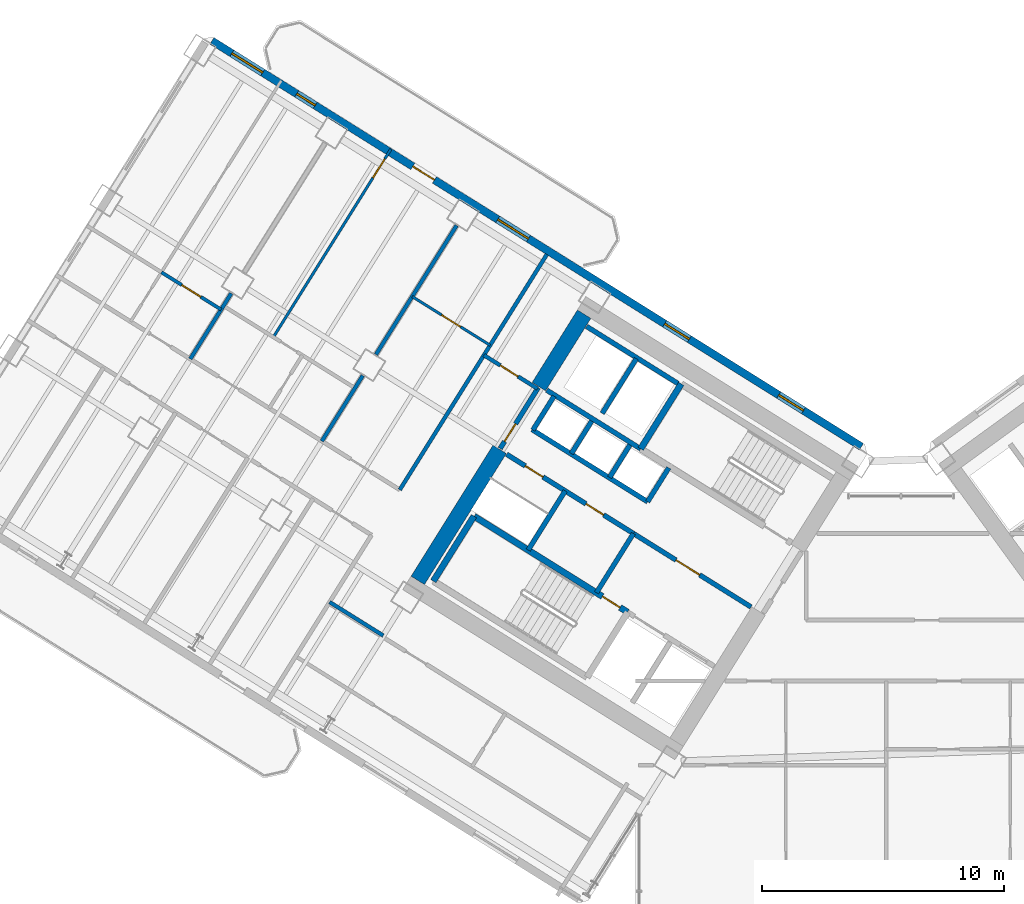
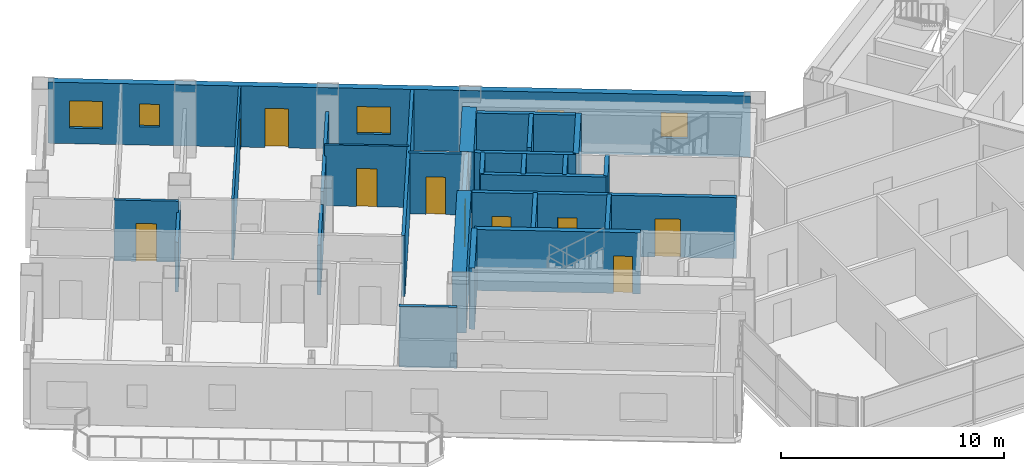
# One storey, part 16 of 24: 28 walls, 10 doors, 5 windows, 15 openings.
"""IFC4 building model written with IfcOpenShell, lengths in metres."""

from ifc_helpers import new_model, si_unit, direction, frame, frame_2d, origin, place, context, subcontext, project, spatial, rectangle, extrude, source, transform, mapped, material, layer, layer_set, type_object, element, fill, save


model = new_model("IFC4")

# Units and contexts
model_context = context("Model", 3, precision=1e-05, world=origin(), true_north=direction((0.0, 1.0)))
body_context = subcontext(model_context, "Body", "Model", "MODEL_VIEW")
ifc_project = project(units=[si_unit("LENGTHUNIT", "METRE"), si_unit("AREAUNIT", "SQUARE_METRE"), si_unit("VOLUMEUNIT", "CUBIC_METRE"), si_unit("PLANEANGLEUNIT", "RADIAN"), si_unit("MASSUNIT", "GRAM", prefix="KILO")], contexts=[model_context])

# Site, building, storey
site_placement = place(None, origin())
site = spatial("IfcSite", under=ifc_project, at=site_placement, CompositionType="ELEMENT")
building_placement = place(site_placement, origin())
building = spatial("IfcBuilding", under=site, at=building_placement, Name="Tlacorven Tower", CompositionType="ELEMENT")
storey_placement = place(building_placement, frame((0.0, 0.0, 60.0)))
storey = spatial("IfcBuildingStorey", under=building, at=storey_placement, Name="L15", CompositionType="ELEMENT", Elevation=60.0)

# Walls
ifc_material_1 = material(Name="Concrete C60/75", Category="concrete")
ifc_layer_1 = layer(ifc_material_1, 0.64990234375)
ifc_layer_set_1 = layer_set([ifc_layer_1], Name="Concrete C60/75")
wall_type_1 = type_object("IfcWallType", Name="WL-COR-650", PredefinedType="SHEAR", material=ifc_layer_set_1)
wall_1_placement = place(storey_placement, frame((29.49072265625, 30.5517578125, 0.0), z_axis=(0.0, 0.0, 1.0), x_axis=(-0.529893103397, -0.8480644427, 0.0)))
element("IfcWall", 1, at=wall_1_placement, inside=storey, type_object=wall_type_1, Name="L15 W core end wall E2.1", PredefinedType="SHEAR", context=body_context, shape_type="SweptSolid", body=[
    extrude(rectangle(XDim=3.525146484375, YDim=0.64990234375, at=frame_2d((1.7626953125, 0.0))), origin(), (0.0, 0.0, 1.0), 3.35009765625),
])
wall_2_placement = place(storey_placement, frame((26.006591796875, 24.975830078125, 0.0), z_axis=(0.0, 0.0, 1.0), x_axis=(-0.529916319127, -0.848049936456, 0.0)))
element("IfcWall", 2, at=wall_2_placement, inside=storey, type_object=wall_type_1, Name="L15 W core end wall E2.2", PredefinedType="SHEAR", context=body_context, shape_type="SweptSolid", body=[
    extrude(rectangle(XDim=6.375, YDim=0.64990234375, at=frame_2d((3.1875, 0.0))), origin(), (0.0, 0.0, 1.0), 3.35009765625),
])

# Wall, opening, door
ifc_material_2 = material(Name="Gypsum plasterboard acoustic partition", Category="gypsum")
ifc_layer_2 = layer(ifc_material_2, 0.159912109375)
ifc_layer_set_2 = layer_set([ifc_layer_2], Name="Gypsum plasterboard acoustic partition")
wall_type_2 = type_object("IfcWallType", Name="WL-DEM-160", PredefinedType="PARTITIONING", material=ifc_layer_set_2)
wall_3_placement = place(storey_placement, frame((27.56982421875, 27.4775390625, 0.0), z_axis=(0.0, 0.0, 1.0), x_axis=(-0.848050851465, 0.529914854792, 0.0)))
wall_3 = element("IfcWall", 3, at=wall_3_placement, inside=storey, type_object=wall_type_2, Name="L15 partition 47", PredefinedType="PARTITIONING", context=body_context, shape_type="SweptSolid", body=[
    extrude(rectangle(XDim=2.60986328125, YDim=0.159912109375, at=frame_2d((1.304931640625, 0.0))), origin(), (0.0, 0.0, 1.0), 3.340087890625),
])
opening_1_placement = place(wall_3_placement, frame((0.949951171875, 0.0, 0.0)))
opening_1 = element("IfcOpeningElement", 4, at=opening_1_placement, cuts=wall_3, Name="Opening D19", PredefinedType="OPENING", context=body_context, shape_type="SweptSolid", body=[
    extrude(rectangle(XDim=0.860107421875, YDim=2.050048828125, at=frame_2d((0.43017578125, 1.02490234375))), frame((0.0, 0.08984375, 0.0), z_axis=(0.0, -1.0, 0.0), x_axis=(1.0, 0.0, 0.0)), (0.0, 0.0, 1.0), 0.179931640625),
])
ifc_material_3 = material(Name="Fire-rated steel door assembly", Category="steel")
door_type_1 = type_object("IfcDoorType", Name="DR-RSR-FD60-0860", OperationType="NOTDEFINED", PredefinedType="DOOR", material=ifc_material_3)
shared_shape_1 = source(origin(), body_context, "Body", "SweptSolid", [
    extrude(rectangle(XDim=0.860107421875, YDim=2.050048828125, at=frame_2d((0.43017578125, 1.02490234375))), frame((0.0, 0.02490234375, 0.0), z_axis=(0.0, -1.0, 0.0), x_axis=(1.0, 0.0, 0.0)), (0.0, 0.0, 1.0), 0.050048828125),
])
door_1_placement = place(opening_1_placement, frame((0.860107421875, 0.0, 0.0), z_axis=(0.0, 0.0, 1.0), x_axis=(-1.0, 0.0, 0.0)))
door_1 = element("IfcDoor", 5, at=door_1_placement, inside=storey, type_object=door_type_1, Name="L15 door 019", OperationType="SINGLE_SWING_LEFT", OverallHeight=2.050048828125, OverallWidth=0.860107421875, PredefinedType="DOOR", context=body_context, shape_type="MappedRepresentation", body=[
    mapped(shared_shape_1, transform((0.0, 0.0, 0.0), scale=1.0)),
])
fill(opening_1, door_1)

# Walls
wall_4_placement = place(storey_placement, frame((21.20556640625, 17.29248046875, 0.0), z_axis=(0.0, 0.0, 1.0), x_axis=(-0.848050851465, 0.529914854792, 0.0)))
element("IfcWall", 6, at=wall_4_placement, inside=storey, type_object=wall_type_2, Name="L15 partition 48", PredefinedType="PARTITIONING", context=body_context, shape_type="SweptSolid", body=[
    extrude(rectangle(XDim=2.60986328125, YDim=0.159912109375, at=frame_2d((1.304931640625, 0.0))), origin(), (0.0, 0.0, 1.0), 3.340087890625),
])
wall_5_placement = place(storey_placement, frame((27.952880859375, 33.01611328125, 0.0), z_axis=(0.0, 0.0, 1.0), x_axis=(-0.529905022231, -0.848056995381, 0.0)))
element("IfcWall", 7, at=wall_5_placement, inside=storey, type_object=wall_type_2, Name="L15 partition 49", PredefinedType="PARTITIONING", context=body_context, shape_type="SweptSolid", body=[
    extrude(rectangle(XDim=11.449951171875, YDim=0.159912109375, at=frame_2d((5.72509765625, 0.0))), origin(), (0.0, 0.0, 1.0), 3.340087890625),
])
wall_6_placement = place(storey_placement, frame((24.22900390625, 34.208740234375, 0.0), z_axis=(0.0, 0.0, 1.0), x_axis=(-0.529897533635, -0.848061674554, 0.0)))
element("IfcWall", 8, at=wall_6_placement, inside=storey, type_object=wall_type_2, Name="L15 WS Demising Wall 1", PredefinedType="PARTITIONING", context=body_context, shape_type="SweptSolid", body=[
    extrude(rectangle(XDim=6.276123046875, YDim=0.159912109375, at=frame_2d((3.13818359375, 0.0))), origin(), (0.0, 0.0, 1.0), 2.72509765625),
])
for number, where, z_axis, x_axis, name in (
    (9, (20.360595703125, 28.017822265625, 0.0), (0.0, 0.0, 1.0), (-0.529875025416, -0.848075738033, 0.0), "L15 WS Demising Wall 1"),
    (10, (14.93310546875, 31.409423828125, 0.0), (0.0, 0.0, 1.0), (-0.529875025416, -0.848075738033, 0.0), "L15 WS Demising Wall 2"),
):
    element("IfcWall", number, at=place(storey_placement, frame(where, z_axis=z_axis, x_axis=x_axis)), inside=storey, type_object=wall_type_2, Name=name, PredefinedType="PARTITIONING", context=body_context, shape_type="SweptSolid", body=[
        extrude(rectangle(XDim=3.18798828125, YDim=0.159912109375, at=frame_2d((1.593994140625, 0.0))), origin(), (0.0, 0.0, 1.0), 2.72509765625),
    ])

# Wall, openings, door, windows
ifc_material_4 = material(Name="Precast concrete C45/55", Category="concrete")
ifc_layer_3 = layer(ifc_material_4, 0.320068359375)
ifc_layer_set_3 = layer_set([ifc_layer_3], Name="Precast concrete C45/55")
wall_type_3 = type_object("IfcWallType", Name="WL-EXT-320", PredefinedType="STANDARD", material=ifc_layer_set_3)
wall_7_placement = place(storey_placement, frame((14.13818359375, 41.825439453125, 0.0), z_axis=(0.0, 0.0, 1.0), x_axis=(0.848046498049, -0.529921821731, 0.0)))
wall_7 = element("IfcWall", 11, at=wall_7_placement, inside=storey, type_object=wall_type_3, Name="L15 Masonry-Frame Recessed Facade Wall 3", PredefinedType="STANDARD", context=body_context, shape_type="SweptSolid", body=[
    extrude(rectangle(XDim=31.587646484375, YDim=0.320068359375, at=frame_2d((15.7939453125, 0.0))), origin(), (0.0, 0.0, 1.0), 3.35009765625),
])
opening_2_placement = place(wall_7_placement, frame((9.77197265625, 0.0, 0.0)))
opening_2 = element("IfcOpeningElement", 12, at=opening_2_placement, cuts=wall_7, Name="Opening D06", PredefinedType="OPENING", context=body_context, shape_type="SweptSolid", body=[
    extrude(rectangle(XDim=1.050048828125, YDim=2.14990234375, at=frame_2d((0.52490234375, 1.074951171875))), frame((0.0, 0.169921875, 0.0), z_axis=(0.0, -1.0, 0.0), x_axis=(1.0, 0.0, 0.0)), (0.0, 0.0, 1.0), 0.340087890625),
])
opening_3_placement = place(wall_7_placement, frame((0.96630859375, 0.0, 0.85009765625)))
opening_3 = element("IfcOpeningElement", 13, at=opening_3_placement, cuts=wall_7, Name="Opening WN02", PredefinedType="OPENING", context=body_context, shape_type="SweptSolid", body=[
    extrude(rectangle(XDim=1.5, YDim=1.5, at=frame_2d((0.75, 0.75))), frame((0.0, 0.169921875, 0.0), z_axis=(0.0, -1.0, 0.0), x_axis=(1.0, 0.0, 0.0)), (0.0, 0.0, 1.0), 0.340087890625),
])
opening_4_placement = place(wall_7_placement, frame((4.12109375, 0.0, 1.0)))
opening_4 = element("IfcOpeningElement", 14, at=opening_4_placement, cuts=wall_7, Name="Opening WN05", PredefinedType="OPENING", context=body_context, shape_type="SweptSolid", body=[
    extrude(rectangle(XDim=0.89990234375, YDim=1.25, at=frame_2d((0.449951171875, 0.625))), frame((0.0, 0.169921875, 0.0), z_axis=(0.0, -1.0, 0.0), x_axis=(1.0, 0.0, 0.0)), (0.0, 0.0, 1.0), 0.340087890625),
])
opening_5_placement = place(wall_7_placement, frame((13.898681640625, 0.0, 0.85009765625)))
opening_5 = element("IfcOpeningElement", 15, at=opening_5_placement, cuts=wall_7, Name="Opening WN02", PredefinedType="OPENING", context=body_context, shape_type="SweptSolid", body=[
    extrude(rectangle(XDim=1.5, YDim=1.5, at=frame_2d((0.75, 0.75))), frame((0.0, 0.169921875, 0.0), z_axis=(0.0, -1.0, 0.0), x_axis=(1.0, 0.0, 0.0)), (0.0, 0.0, 1.0), 0.340087890625),
])
opening_6_placement = place(wall_7_placement, frame((22.018798828125, 0.0, 0.949951171875)))
opening_6 = element("IfcOpeningElement", 16, at=opening_6_placement, cuts=wall_7, Name="Opening WN03", PredefinedType="OPENING", context=body_context, shape_type="SweptSolid", body=[
    extrude(rectangle(XDim=1.199951171875, YDim=1.39990234375, at=frame_2d((0.60009765625, 0.699951171875))), frame((0.0, 0.169921875, 0.0), z_axis=(0.0, -1.0, 0.0), x_axis=(1.0, 0.0, 0.0)), (0.0, 0.0, 1.0), 0.340087890625),
])
opening_7_placement = place(wall_7_placement, frame((27.568603515625, 0.0, 0.949951171875)))
opening_7 = element("IfcOpeningElement", 17, at=opening_7_placement, cuts=wall_7, Name="Opening WN03", PredefinedType="OPENING", context=body_context, shape_type="SweptSolid", body=[
    extrude(rectangle(XDim=1.199951171875, YDim=1.39990234375, at=frame_2d((0.60009765625, 0.699951171875))), frame((0.0, 0.169921875, 0.0), z_axis=(0.0, -1.0, 0.0), x_axis=(1.0, 0.0, 0.0)), (0.0, 0.0, 1.0), 0.340087890625),
])
ifc_material_5 = material(Name="Powder-coated aluminium and timber door", Category="wood")
door_type_2 = type_object("IfcDoorType", Name="DR-EXT-BALC-1050", OperationType="NOTDEFINED", PredefinedType="DOOR", material=ifc_material_5)
shared_shape_2 = source(origin(), body_context, "Body", "SweptSolid", [
    extrude(rectangle(XDim=1.050048828125, YDim=2.14990234375, at=frame_2d((0.52490234375, 1.074951171875))), frame((0.0, 0.02490234375, 0.0), z_axis=(0.0, -1.0, 0.0), x_axis=(1.0, 0.0, 0.0)), (0.0, 0.0, 1.0), 0.050048828125),
])
door_2_placement = place(opening_2_placement, origin())
door_2 = element("IfcDoor", 18, at=door_2_placement, inside=storey, type_object=door_type_2, Name="L15 Outdoor Access Door BAL-L15-W-IN", OperationType="SINGLE_SWING_RIGHT", OverallHeight=2.14990234375, OverallWidth=1.050048828125, PredefinedType="DOOR", context=body_context, shape_type="MappedRepresentation", body=[
    mapped(shared_shape_2, transform((0.0, 0.0, 0.0), scale=1.0)),
])
fill(opening_2, door_2)
ifc_material_6 = material(Name="Dark solar low-E double glazing in anodised aluminium frame", Category="aluminium")
window_type_1 = type_object("IfcWindowType", Name="WN-APT-1200X1500", PartitioningType="SINGLE_PANEL", PredefinedType="WINDOW", material=ifc_material_6)
shared_shape_3 = source(origin(), body_context, "Body", "SweptSolid", [
    extrude(rectangle(XDim=1.199951171875, YDim=1.39990234375, at=frame_2d((0.60009765625, 0.699951171875))), frame((0.0, 0.030029296875, 0.0), z_axis=(0.0, -1.0, 0.0), x_axis=(1.0, 0.0, 0.0)), (0.0, 0.0, 1.0), 0.06005859375),
])
window_1_placement = place(opening_6_placement, origin())
window_1 = element("IfcWindow", 19, at=window_1_placement, inside=storey, type_object=window_type_1, Name="L15 Recessed Masonry-Frame Window L15-03.4", OverallHeight=1.39990234375, OverallWidth=1.199951171875, PartitioningType="SINGLE_PANEL", PredefinedType="WINDOW", context=body_context, shape_type="MappedRepresentation", body=[
    mapped(shared_shape_3, transform((0.0, 0.0, 0.0), scale=1.0)),
])
fill(opening_6, window_1)
window_2_placement = place(opening_7_placement, origin())
window_2 = element("IfcWindow", 20, at=window_2_placement, inside=storey, type_object=window_type_1, Name="L15 Recessed Masonry-Frame Window L15-03.5", OverallHeight=1.39990234375, OverallWidth=1.199951171875, PartitioningType="SINGLE_PANEL", PredefinedType="WINDOW", context=body_context, shape_type="MappedRepresentation", body=[
    mapped(shared_shape_3, transform((0.0, 0.0, 0.0), scale=1.0)),
])
fill(opening_7, window_2)
window_type_2 = type_object("IfcWindowType", Name="WN-APT-1500X1650", PartitioningType="SINGLE_PANEL", PredefinedType="WINDOW", material=ifc_material_6)
shared_shape_4 = source(origin(), body_context, "Body", "SweptSolid", [
    extrude(rectangle(XDim=1.5, YDim=1.5, at=frame_2d((0.75, 0.75))), frame((0.0, 0.030029296875, 0.0), z_axis=(0.0, -1.0, 0.0), x_axis=(1.0, 0.0, 0.0)), (0.0, 0.0, 1.0), 0.06005859375),
])
window_3_placement = place(opening_3_placement, origin())
window_3 = element("IfcWindow", 21, at=window_3_placement, inside=storey, type_object=window_type_2, Name="L15 Recessed Masonry-Frame Window L15-03.1", OverallHeight=1.5, OverallWidth=1.5, PartitioningType="SINGLE_PANEL", PredefinedType="WINDOW", context=body_context, shape_type="MappedRepresentation", body=[
    mapped(shared_shape_4, transform((0.0, 0.0, 0.0), scale=1.0)),
])
fill(opening_3, window_3)
window_4_placement = place(opening_5_placement, origin())
window_4 = element("IfcWindow", 22, at=window_4_placement, inside=storey, type_object=window_type_2, Name="L15 Recessed Masonry-Frame Window L15-03.3", OverallHeight=1.5, OverallWidth=1.5, PartitioningType="SINGLE_PANEL", PredefinedType="WINDOW", context=body_context, shape_type="MappedRepresentation", body=[
    mapped(shared_shape_4, transform((0.0, 0.0, 0.0), scale=1.0)),
])
fill(opening_5, window_4)
window_type_3 = type_object("IfcWindowType", Name="WN-APT-0900X1350", PartitioningType="SINGLE_PANEL", PredefinedType="WINDOW", material=ifc_material_6)
shared_shape_5 = source(origin(), body_context, "Body", "SweptSolid", [
    extrude(rectangle(XDim=0.89990234375, YDim=1.25, at=frame_2d((0.449951171875, 0.625))), frame((0.0, 0.030029296875, 0.0), z_axis=(0.0, -1.0, 0.0), x_axis=(1.0, 0.0, 0.0)), (0.0, 0.0, 1.0), 0.06005859375),
])
window_5_placement = place(opening_4_placement, origin())
window_5 = element("IfcWindow", 23, at=window_5_placement, inside=storey, type_object=window_type_3, Name="L15 Recessed Masonry-Frame Window L15-03.2", OverallHeight=1.25, OverallWidth=0.89990234375, PartitioningType="SINGLE_PANEL", PredefinedType="WINDOW", context=body_context, shape_type="MappedRepresentation", body=[
    mapped(shared_shape_5, transform((0.0, 0.0, 0.0), scale=1.0)),
])
fill(opening_4, window_5)

# Wall, opening, door
ifc_material_7 = material(Name="Gypsum plasterboard partition", Category="gypsum")
ifc_layer_4 = layer(ifc_material_7, 0.110107421875)
ifc_layer_set_4 = layer_set([ifc_layer_4], Name="Gypsum plasterboard partition")
wall_type_4 = type_object("IfcWallType", Name="WL-INT-110", PredefinedType="PARTITIONING", material=ifc_layer_set_4)
wall_8_placement = place(storey_placement, frame((25.61181640625, 29.269287109375, 0.0), z_axis=(0.0, 0.0, 1.0), x_axis=(-0.84803087207, 0.529946827537, 0.0)))
wall_8 = element("IfcWall", 24, at=wall_8_placement, inside=storey, type_object=wall_type_4, Name="L15 partition 59", PredefinedType="PARTITIONING", context=body_context, shape_type="SweptSolid", body=[
    extrude(rectangle(XDim=3.7900390625, YDim=0.110107421875, at=frame_2d((1.89501953125, 0.0))), origin(), (0.0, 0.0, 1.0), 3.340087890625),
])
opening_8_placement = place(wall_8_placement, frame((1.43505859375, 0.0, 0.0)))
opening_8 = element("IfcOpeningElement", 25, at=opening_8_placement, cuts=wall_8, Name="Opening D12", PredefinedType="OPENING", context=body_context, shape_type="SweptSolid", body=[
    extrude(rectangle(XDim=0.919921875, YDim=2.080078125, at=frame_2d((0.4599609375, 1.0400390625))), frame((0.0, 0.06494140625, 0.0), z_axis=(0.0, -1.0, 0.0), x_axis=(1.0, 0.0, 0.0)), (0.0, 0.0, 1.0), 0.130126953125),
])
door_type_3 = type_object("IfcDoorType", Name="DR-INT-ROOM-0920", OperationType="NOTDEFINED", PredefinedType="DOOR", material=ifc_material_5)
shared_shape_6 = source(origin(), body_context, "Body", "SweptSolid", [
    extrude(rectangle(XDim=0.919921875, YDim=2.080078125, at=frame_2d((0.4599609375, 1.0400390625))), frame((0.0, 0.02490234375, 0.0), z_axis=(0.0, -1.0, 0.0), x_axis=(1.0, 0.0, 0.0)), (0.0, 0.0, 1.0), 0.050048828125),
])
door_3_placement = place(opening_8_placement, origin())
door_3 = element("IfcDoor", 26, at=door_3_placement, inside=storey, type_object=door_type_3, Name="L15 door 027", OperationType="SINGLE_SWING_RIGHT", OverallHeight=2.080078125, OverallWidth=0.919921875, PredefinedType="DOOR", context=body_context, shape_type="MappedRepresentation", body=[
    mapped(shared_shape_6, transform((0.0, 0.0, 0.0), scale=1.0)),
])
fill(opening_8, door_3)

wall_9_placement = place(storey_placement, frame((21.516845703125, 37.356201171875, 0.0), z_axis=(0.0, 0.0, 1.0), x_axis=(-0.529919705034, -0.848047820713, 0.0)))
wall_9 = element("IfcWall", 27, at=wall_9_placement, inside=storey, type_object=wall_type_4, Name="L15 partition 63", PredefinedType="PARTITIONING", context=body_context, shape_type="SweptSolid", body=[
    extrude(rectangle(XDim=9.14013671875, YDim=0.110107421875, at=frame_2d((4.570068359375, 0.0))), origin(), (0.0, 0.0, 1.0), 3.340087890625),
])
opening_9_placement = place(wall_9_placement, frame((0.469970703125, 0.0, 0.0)))
opening_9 = element("IfcOpeningElement", 28, at=opening_9_placement, cuts=wall_9, Name="Opening D12", PredefinedType="OPENING", context=body_context, shape_type="SweptSolid", body=[
    extrude(rectangle(XDim=0.919921875, YDim=2.080078125, at=frame_2d((0.4599609375, 1.0400390625))), frame((0.0, 0.06494140625, 0.0), z_axis=(0.0, -1.0, 0.0), x_axis=(1.0, 0.0, 0.0)), (0.0, 0.0, 1.0), 0.130126953125),
])
door_4_placement = place(opening_9_placement, origin())
door_4 = element("IfcDoor", 29, at=door_4_placement, inside=storey, type_object=door_type_3, Name="L15 door 028", OperationType="SINGLE_SWING_LEFT", OverallHeight=2.080078125, OverallWidth=0.919921875, PredefinedType="DOOR", context=body_context, shape_type="MappedRepresentation", body=[
    mapped(shared_shape_6, transform((0.0, 0.0, 0.0), scale=1.0)),
])
fill(opening_9, door_4)

ifc_material_8 = material(Name="Moisture-resistant gypsum plumbing wall", Category="gypsum")
ifc_layer_5 = layer(ifc_material_8, 0.139892578125)
ifc_layer_set_5 = layer_set([ifc_layer_5], Name="Moisture-resistant gypsum plumbing wall")
wall_type_5 = type_object("IfcWallType", Name="WL-PLM-140", PredefinedType="PLUMBINGWALL", material=ifc_layer_set_5)
wall_10_placement = place(storey_placement, frame((14.515625, 30.7412109375, 0.0), z_axis=(0.0, 0.0, 1.0), x_axis=(-0.848059786386, 0.529900555496, 0.0)))
wall_10 = element("IfcWall", 30, at=wall_10_placement, inside=storey, type_object=wall_type_5, Name="L15 partition 66", PredefinedType="PLUMBINGWALL", context=body_context, shape_type="SweptSolid", body=[
    extrude(rectangle(XDim=2.89990234375, YDim=0.139892578125, at=frame_2d((1.449951171875, 0.0))), origin(), (0.0, 0.0, 1.0), 3.340087890625),
])
opening_10_placement = place(wall_10_placement, frame((0.989990234375, 0.0, 0.0)))
opening_10 = element("IfcOpeningElement", 31, at=opening_10_placement, cuts=wall_10, Name="Opening D12", PredefinedType="OPENING", context=body_context, shape_type="SweptSolid", body=[
    extrude(rectangle(XDim=0.919921875, YDim=2.080078125, at=frame_2d((0.4599609375, 1.0400390625))), frame((0.0, 0.080078125, 0.0), z_axis=(0.0, -1.0, 0.0), x_axis=(1.0, 0.0, 0.0)), (0.0, 0.0, 1.0), 0.159912109375),
])
door_5_placement = place(opening_10_placement, origin())
door_5 = element("IfcDoor", 32, at=door_5_placement, inside=storey, type_object=door_type_3, Name="L15 door 034", OperationType="SINGLE_SWING_LEFT", OverallHeight=2.080078125, OverallWidth=0.919921875, PredefinedType="DOOR", context=body_context, shape_type="MappedRepresentation", body=[
    mapped(shared_shape_6, transform((0.0, 0.0, 0.0), scale=1.0)),
])
fill(opening_10, door_5)

ifc_material_9 = material(Name="Concrete C40/50", Category="concrete")
ifc_layer_6 = layer(ifc_material_9, 0.199951171875)
ifc_layer_set_6 = layer_set([ifc_layer_6], Name="Concrete C40/50")
wall_type_6 = type_object("IfcWallType", Name="WL-SHF-200", PredefinedType="STANDARD", material=ifc_layer_set_6)
wall_11_placement = place(storey_placement, frame((36.374267578125, 18.4736328125, 0.0), z_axis=(0.0, 0.0, 1.0), x_axis=(-0.848051071577, 0.529914502535, 0.0)))
wall_11 = element("IfcWall", 33, at=wall_11_placement, inside=storey, type_object=wall_type_6, Name="L15 Core W Smoke Lobby Wall", PredefinedType="STANDARD", context=body_context, shape_type="SweptSolid", body=[
    extrude(rectangle(XDim=5.718017578125, YDim=0.199951171875, at=frame_2d((2.85888671875, 0.0))), origin(), (0.0, 0.0, 1.0), 3.340087890625),
])
opening_11_placement = place(wall_11_placement, frame((2.498046875, 0.0, 0.0)))
opening_11 = element("IfcOpeningElement", 34, at=opening_11_placement, cuts=wall_11, Name="Opening D09", PredefinedType="OPENING", context=body_context, shape_type="SweptSolid", body=[
    extrude(rectangle(XDim=1.14990234375, YDim=2.10009765625, at=frame_2d((0.574951171875, 1.050048828125))), frame((0.0, 0.10986328125, 0.0), z_axis=(0.0, -1.0, 0.0), x_axis=(1.0, 0.0, 0.0)), (0.0, 0.0, 1.0), 0.219970703125),
])
door_type_4 = type_object("IfcDoorType", Name="DR-FFL-FD60-1150", OperationType="NOTDEFINED", PredefinedType="DOOR", material=ifc_material_3)
shared_shape_7 = source(origin(), body_context, "Body", "SweptSolid", [
    extrude(rectangle(XDim=1.14990234375, YDim=2.10009765625, at=frame_2d((0.574951171875, 1.050048828125))), frame((0.0, 0.02490234375, 0.0), z_axis=(0.0, -1.0, 0.0), x_axis=(1.0, 0.0, 0.0)), (0.0, 0.0, 1.0), 0.050048828125),
])
door_6_placement = place(opening_11_placement, origin())
door_6 = element("IfcDoor", 35, at=door_6_placement, inside=storey, type_object=door_type_4, Name="L15 Firefighting Lobby W Fire Door", OperationType="SINGLE_SWING_LEFT", OverallHeight=2.10009765625, OverallWidth=1.14990234375, PredefinedType="DOOR", context=body_context, shape_type="MappedRepresentation", body=[
    mapped(shared_shape_7, transform((0.0, 0.0, 0.0), scale=1.0)),
])
fill(opening_11, door_6)

# Walls
wall_12_placement = place(storey_placement, frame((31.82177734375, 24.99755859375, 0.0), z_axis=(0.0, 0.0, 1.0), x_axis=(-0.848058348634, 0.529902856485, 0.0)))
element("IfcWall", 36, at=wall_12_placement, inside=storey, type_object=wall_type_6, Name="L15 Core W South Lift Shaft Wall", PredefinedType="STANDARD", context=body_context, shape_type="SweptSolid", body=[
    extrude(rectangle(XDim=4.568115234375, YDim=0.199951171875, at=frame_2d((2.2841796875, 0.0))), origin(), (0.0, 0.0, 1.0), 3.340087890625),
])
wall_13_placement = place(storey_placement, frame((32.108154296875, 22.81396484375, 0.0), z_axis=(0.0, 0.0, 1.0), x_axis=(-0.848042229521, 0.529928652696, 0.0)))
element("IfcWall", 37, at=wall_13_placement, inside=storey, type_object=wall_type_6, Name="L15 partition 11", PredefinedType="STANDARD", context=body_context, shape_type="SweptSolid", body=[
    extrude(rectangle(XDim=5.6201171875, YDim=0.199951171875, at=frame_2d((2.81005859375, 0.0))), origin(), (0.0, 0.0, 1.0), 3.340087890625),
])
wall_14_placement = place(storey_placement, frame((32.982421875, 24.21337890625, 0.0), z_axis=(0.0, 0.0, 1.0), x_axis=(-0.529839334948, -0.84809803628, 0.0)))
element("IfcWall", 38, at=wall_14_placement, inside=storey, type_object=wall_type_6, Name="L15 partition 12", PredefinedType="STANDARD", context=body_context, shape_type="SweptSolid", body=[
    extrude(rectangle(XDim=1.650146484375, YDim=0.199951171875, at=frame_2d((0.8251953125, 0.0))), origin(), (0.0, 0.0, 1.0), 3.340087890625),
])
wall_15_placement = place(storey_placement, frame((28.250244140625, 27.170166015625, 0.0), z_axis=(0.0, 0.0, 1.0), x_axis=(-0.529905827651, -0.848056492117, 0.0)))
element("IfcWall", 39, at=wall_15_placement, inside=storey, type_object=wall_type_6, Name="L15 partition 13", PredefinedType="STANDARD", context=body_context, shape_type="SweptSolid", body=[
    extrude(rectangle(XDim=1.64990234375, YDim=0.199951171875, at=frame_2d((0.824951171875, 0.0))), origin(), (0.0, 0.0, 1.0), 3.340087890625),
])
wall_16_placement = place(storey_placement, frame((31.645263671875, 28.716064453125, 0.0), z_axis=(0.0, 0.0, 1.0), x_axis=(-0.52986693015, -0.848080795876, 0.0)))
element("IfcWall", 40, at=wall_16_placement, inside=storey, type_object=wall_type_6, Name="L15 partition 15", PredefinedType="STANDARD", context=body_context, shape_type="SweptSolid", body=[
    extrude(rectangle(XDim=2.659912109375, YDim=0.199951171875, at=frame_2d((1.330078125, 0.0))), origin(), (0.0, 0.0, 1.0), 3.340087890625),
])
wall_17_placement = place(storey_placement, frame((33.362548828125, 27.690185546875, 0.0), z_axis=(0.0, 0.0, 1.0), x_axis=(-0.848053806312, 0.529910125964, 0.0)))
element("IfcWall", 41, at=wall_17_placement, inside=storey, type_object=wall_type_6, Name="L15 partition 17", PredefinedType="STANDARD", context=body_context, shape_type="SweptSolid", body=[
    extrude(rectangle(XDim=4.44775390625, YDim=0.199951171875, at=frame_2d((2.223876953125, 0.0))), origin(), (0.0, 0.0, 1.0), 3.340087890625),
])
for number, where, z_axis, x_axis, name in (
    (42, (31.378662109375, 25.156494140625, 0.0), (0.0, 0.0, 1.0), (-0.529998940003, -0.847998304005, 0.0), "L15 partition 18"),
    (43, (29.80126953125, 26.14208984375, 0.0), (0.0, 0.0, 1.0), (-0.529998940003, -0.847998304005, 0.0), "L15 partition 19"),
):
    element("IfcWall", number, at=place(storey_placement, frame(where, z_axis=z_axis, x_axis=x_axis)), inside=storey, type_object=wall_type_6, Name=name, PredefinedType="STANDARD", context=body_context, shape_type="SweptSolid", body=[
        extrude(rectangle(XDim=1.580078125, YDim=0.199951171875, at=frame_2d((0.7900390625, 0.0))), origin(), (0.0, 0.0, 1.0), 3.340087890625),
    ])
for number, where, z_axis, x_axis, name in (
    (44, (31.525146484375, 21.503662109375, 0.0), (0.0, 0.0, 1.0), (-0.529907497854, -0.848055448493, 0.0), "L15 partition 20"),
    (45, (28.709716796875, 23.26318359375, 0.0), (0.0, 0.0, 1.0), (-0.529907497854, -0.848055448493, 0.0), "L15 partition 21"),
):
    element("IfcWall", number, at=place(storey_placement, frame(where, z_axis=z_axis, x_axis=x_axis)), inside=storey, type_object=wall_type_6, Name=name, PredefinedType="STANDARD", context=body_context, shape_type="SweptSolid", body=[
        extrude(rectangle(XDim=2.8798828125, YDim=0.199951171875, at=frame_2d((1.43994140625, 0.0))), origin(), (0.0, 0.0, 1.0), 3.340087890625),
    ])

# Wall, openings, doors
wall_18_placement = place(storey_placement, frame((31.525146484375, 21.503662109375, 0.0), z_axis=(0.0, 0.0, 1.0), x_axis=(-0.848044998614, 0.529924221305, 0.0)))
wall_18 = element("IfcWall", 46, at=wall_18_placement, inside=storey, type_object=wall_type_6, Name="L15 Core W North Service Wall", PredefinedType="STANDARD", context=body_context, shape_type="SweptSolid", body=[
    extrude(rectangle(XDim=6.16796875, YDim=0.199951171875, at=frame_2d((3.083984375, 0.0))), origin(), (0.0, 0.0, 1.0), 3.340087890625),
])
opening_12_placement = place(wall_18_placement, frame((4.39990234375, 0.0, 0.0)))
opening_12 = element("IfcOpeningElement", 47, at=opening_12_placement, cuts=wall_18, Name="Opening D19", PredefinedType="OPENING", context=body_context, shape_type="SweptSolid", body=[
    extrude(rectangle(XDim=0.860107421875, YDim=2.050048828125, at=frame_2d((0.43017578125, 1.02490234375))), frame((0.0, 0.10986328125, 0.0), z_axis=(0.0, -1.0, 0.0), x_axis=(1.0, 0.0, 0.0)), (0.0, 0.0, 1.0), 0.219970703125),
])
opening_13_placement = place(wall_18_placement, frame((1.449951171875, 0.0, 0.0)))
opening_13 = element("IfcOpeningElement", 48, at=opening_13_placement, cuts=wall_18, Name="Opening D19", PredefinedType="OPENING", context=body_context, shape_type="SweptSolid", body=[
    extrude(rectangle(XDim=0.860107421875, YDim=2.050048828125, at=frame_2d((0.43017578125, 1.02490234375))), frame((0.0, 0.10986328125, 0.0), z_axis=(0.0, -1.0, 0.0), x_axis=(1.0, 0.0, 0.0)), (0.0, 0.0, 1.0), 0.219970703125),
])
door_7_placement = place(opening_12_placement, frame((0.860107421875, 0.0, 0.0), z_axis=(0.0, 0.0, 1.0), x_axis=(-1.0, 0.0, 0.0)))
door_7 = element("IfcDoor", 49, at=door_7_placement, inside=storey, type_object=door_type_1, Name="L15 Electrical Riser Access Door W", OperationType="SINGLE_SWING_RIGHT", OverallHeight=2.050048828125, OverallWidth=0.860107421875, PredefinedType="DOOR", context=body_context, shape_type="MappedRepresentation", body=[
    mapped(shared_shape_1, transform((0.0, 0.0, 0.0), scale=1.0)),
])
fill(opening_12, door_7)
door_8_placement = place(opening_13_placement, frame((0.860107421875, 0.0, 0.0), z_axis=(0.0, 0.0, 1.0), x_axis=(-1.0, 0.0, 0.0)))
door_8 = element("IfcDoor", 50, at=door_8_placement, inside=storey, type_object=door_type_1, Name="L15 Housekeeping Linen Access Door W", OperationType="SINGLE_SWING_LEFT", OverallHeight=2.050048828125, OverallWidth=0.860107421875, PredefinedType="DOOR", context=body_context, shape_type="MappedRepresentation", body=[
    mapped(shared_shape_1, transform((0.0, 0.0, 0.0), scale=1.0)),
])
fill(opening_13, door_8)

# Wall, opening, door
wall_19_placement = place(storey_placement, frame((27.59619140625, 27.52001953125, 0.0), z_axis=(0.0, 0.0, 1.0), x_axis=(-0.529865479138, -0.848081702443, 0.0)))
wall_19 = element("IfcWall", 51, at=wall_19_placement, inside=storey, type_object=wall_type_6, Name="L15 partition 46", PredefinedType="STANDARD", context=body_context, shape_type="SweptSolid", body=[
    extrude(rectangle(XDim=2.9599609375, YDim=0.199951171875, at=frame_2d((1.47998046875, 0.0))), origin(), (0.0, 0.0, 1.0), 3.340087890625),
])
opening_14_placement = place(wall_19_placement, frame((1.760009765625, 0.0, 0.0)))
opening_14 = element("IfcOpeningElement", 52, at=opening_14_placement, cuts=wall_19, Name="Opening D19", PredefinedType="OPENING", context=body_context, shape_type="SweptSolid", body=[
    extrude(rectangle(XDim=0.860107421875, YDim=2.050048828125, at=frame_2d((0.43017578125, 1.02490234375))), frame((0.0, 0.10986328125, 0.0), z_axis=(0.0, -1.0, 0.0), x_axis=(1.0, 0.0, 0.0)), (0.0, 0.0, 1.0), 0.219970703125),
])
door_9_placement = place(opening_14_placement, origin())
door_9 = element("IfcDoor", 53, at=door_9_placement, inside=storey, type_object=door_type_1, Name="L15 door 020", OperationType="SINGLE_SWING_LEFT", OverallHeight=2.050048828125, OverallWidth=0.860107421875, PredefinedType="DOOR", context=body_context, shape_type="MappedRepresentation", body=[
    mapped(shared_shape_1, transform((0.0, 0.0, 0.0), scale=1.0)),
])
fill(opening_14, door_9)

ifc_material_10 = material(Name="Concrete C50/60", Category="concrete")
ifc_layer_7 = layer(ifc_material_10, 0.260009765625)
ifc_layer_set_7 = layer_set([ifc_layer_7], Name="Concrete C50/60")
wall_type_7 = type_object("IfcWallType", Name="WL-STW-260", PredefinedType="SHEAR", material=ifc_layer_set_7)
wall_20_placement = place(storey_placement, frame((31.279541015625, 18.26123046875, 0.0), z_axis=(0.0, 0.0, 1.0), x_axis=(-0.848051618787, 0.529913626805, 0.0)))
wall_20 = element("IfcWall", 54, at=wall_20_placement, inside=storey, type_object=wall_type_7, Name="L15 Stair W1 Lobby Shear Wall", PredefinedType="SHEAR", context=body_context, shape_type="SweptSolid", body=[
    extrude(rectangle(XDim=7.4599609375, YDim=0.260009765625, at=frame_2d((3.72998046875, 0.0))), origin(), (0.0, 0.0, 1.0), 3.35009765625),
])
opening_15_placement = place(wall_20_placement, frame((0.360107421875, 0.0, 0.0)))
opening_15 = element("IfcOpeningElement", 55, at=opening_15_placement, cuts=wall_20, Name="Opening D19", PredefinedType="OPENING", context=body_context, shape_type="SweptSolid", body=[
    extrude(rectangle(XDim=0.860107421875, YDim=2.050048828125, at=frame_2d((0.43017578125, 1.02490234375))), frame((0.0, 0.14013671875, 0.0), z_axis=(0.0, -1.0, 0.0), x_axis=(1.0, 0.0, 0.0)), (0.0, 0.0, 1.0), 0.280029296875),
])
door_10_placement = place(opening_15_placement, frame((0.860107421875, 0.0, 0.0), z_axis=(0.0, 0.0, 1.0), x_axis=(-1.0, 0.0, 0.0)))
door_10 = element("IfcDoor", 56, at=door_10_placement, inside=storey, type_object=door_type_1, Name="L15 Exit Stair W1 Fire Door", OperationType="SINGLE_SWING_LEFT", OverallHeight=2.050048828125, OverallWidth=0.860107421875, PredefinedType="DOOR", context=body_context, shape_type="MappedRepresentation", body=[
    mapped(shared_shape_1, transform((0.0, 0.0, 0.0), scale=1.0)),
])
fill(opening_15, door_10)

# Walls
for number, where, z_axis, x_axis, name in (
    (57, (24.944580078125, 22.2197265625, 0.0), (0.0, 0.0, 1.0), (-0.529908658664, -0.84805472316, 0.0), "L15 Stair W1 East Shear Wall"),
    (58, (33.496337890625, 27.677490234375, 0.0), (0.0, 0.0, 1.0), (-0.529908658664, -0.84805472316, 0.0), "L15 Stair W2 East Shear Wall"),
):
    element("IfcWall", number, at=place(storey_placement, frame(where, z_axis=z_axis, x_axis=x_axis)), inside=storey, type_object=wall_type_7, Name=name, PredefinedType="SHEAR", context=body_context, shape_type="SweptSolid", body=[
        extrude(rectangle(XDim=3.16015625, YDim=0.260009765625, at=frame_2d((1.580078125, 0.0))), origin(), (0.0, 0.0, 1.0), 3.35009765625),
    ])

save(model, "model.ifc")
